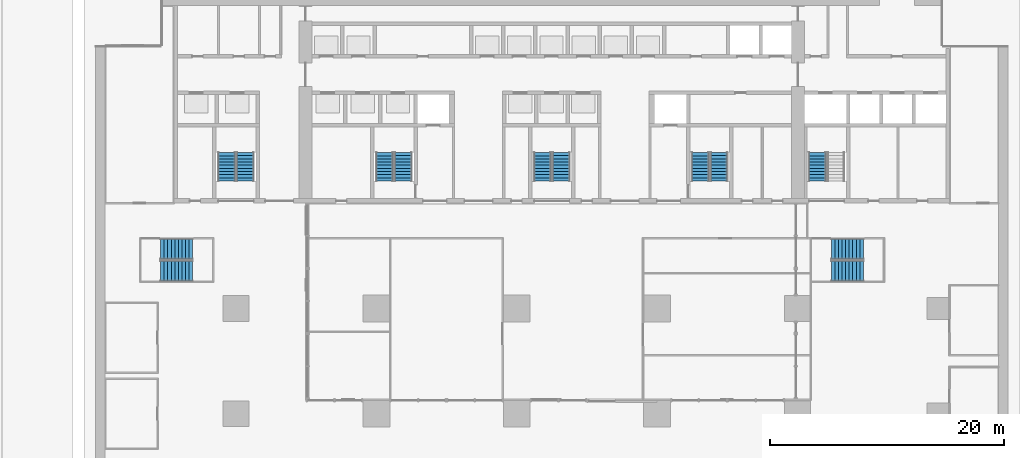
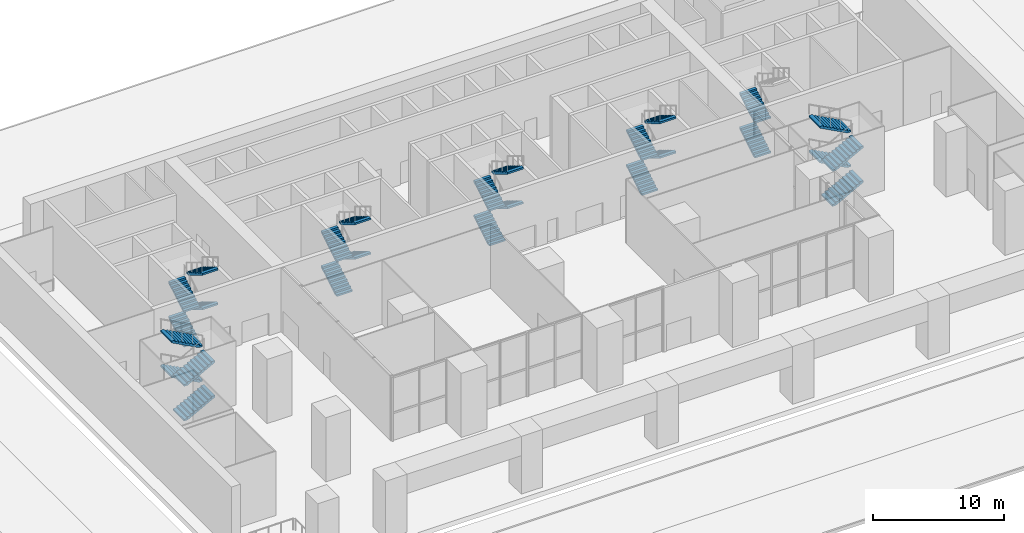
# One storey, part 11 of 16: 26 stair flights, 7 elements without a shape of their own.
"""IFC4 building model written with IfcOpenShell, lengths in metres."""

from ifc_helpers import new_model, si_unit, direction, frame, origin, place, context, subcontext, project, spatial, polyline, outline, extrude, material, type_object, element, aggregate, save


model = new_model("IFC4")

# Units and contexts
model_context = context("Model", 3, precision=1e-05, world=origin(), true_north=direction((0.0, 1.0)))
body_context = subcontext(model_context, "Body", "Model", "MODEL_VIEW")
ifc_project = project(units=[si_unit("LENGTHUNIT", "METRE"), si_unit("AREAUNIT", "SQUARE_METRE"), si_unit("VOLUMEUNIT", "CUBIC_METRE"), si_unit("PLANEANGLEUNIT", "RADIAN"), si_unit("MASSUNIT", "GRAM", prefix="KILO")], contexts=[model_context])

# Site, building, storey
site_placement = place(None, origin())
site = spatial("IfcSite", under=ifc_project, at=site_placement, CompositionType="ELEMENT")
building_placement = place(site_placement, origin())
building = spatial("IfcBuilding", under=site, at=building_placement, Name="Calvaro Tower", CompositionType="ELEMENT")
storey_placement = place(building_placement, origin())
storey = spatial("IfcBuildingStorey", under=building, at=storey_placement, Name="L00", CompositionType="ELEMENT", Elevation=0.0)

# Stair, stair flights
ifc_material_1 = material(Name="Concrete C40/50", Category="concrete")
stair_type_1 = type_object("IfcStairType", Name="Exit stair 1400 4 flights", PredefinedType="DOUBLE_RETURN_STAIR", material=ifc_material_1)
stair_1_placement = place(storey_placement, origin())
stair_1 = element("IfcStair", 1, at=stair_1_placement, inside=storey, type_object=stair_type_1, Name="Exit stair S1", PredefinedType="DOUBLE_RETURN_STAIR")
ifc_material_2 = material(Name="Concrete C40/50", Category="concrete")
stair_flight_type = type_object("IfcStairFlightType", Name="Stair flight", PredefinedType="STRAIGHT", material=ifc_material_2)
stair_flight_1_placement = place(storey_placement, frame((11.199951171875, 29.89990234375, 0.0), z_axis=(0.0, 0.0, 1.0), x_axis=(0.0, 1.0, 0.0)))
stair_flight_1 = element("IfcStairFlight", 2, at=stair_flight_1_placement, type_object=stair_flight_type, Name="Exit stair 1, flight 1", NumberOfRisers=10, NumberOfTreads=9, PredefinedType="STRAIGHT", RiserHeight=0.1625, TreadLength=0.27, context=body_context, shape_type="SweptSolid", body=[
    extrude(outline(polyline([(0.0, 0.0), (0.0, 0.16259765625), (0.27001953125, 0.16259765625), (0.27001953125, 0.324951171875), (0.5400390625, 0.324951171875), (0.5400390625, 0.487548828125), (0.81005859375, 0.487548828125), (0.81005859375, 0.64990234375), (1.080078125, 0.64990234375), (1.080078125, 0.8125), (1.35009765625, 0.8125), (1.35009765625, 0.97509765625), (1.6201171875, 0.97509765625), (1.6201171875, 1.137451171875), (1.889892578125, 1.137451171875), (1.889892578125, 1.300048828125), (2.159912109375, 1.300048828125), (2.159912109375, 1.46240234375), (2.429931640625, 1.46240234375), (2.429931640625, 1.625), (2.429931640625, 1.28759765625), (0.290771484375, 0.0), (0.0, 0.0)])), frame((0.0, 0.699951171875, 0.0), z_axis=(0.0, -1.0, 0.0), x_axis=(1.0, 0.0, 0.0)), (0.0, 0.0, 1.0), 1.39990234375),
])
stair_flight_2_placement = place(storey_placement, frame((12.800048828125, 32.330078125, 1.625), z_axis=(0.0, 0.0, 1.0), x_axis=(0.0, -1.0, 0.0)))
stair_flight_2 = element("IfcStairFlight", 3, at=stair_flight_2_placement, type_object=stair_flight_type, Name="Exit stair 1, flight 2", NumberOfRisers=10, NumberOfTreads=9, PredefinedType="STRAIGHT", RiserHeight=0.1625, TreadLength=0.27, context=body_context, shape_type="SweptSolid", body=[
    extrude(outline(polyline([(0.0, 0.0), (0.0, 0.16259765625), (0.27001953125, 0.16259765625), (0.27001953125, 0.324951171875), (0.5400390625, 0.324951171875), (0.5400390625, 0.487548828125), (0.81005859375, 0.487548828125), (0.81005859375, 0.64990234375), (1.080078125, 0.64990234375), (1.080078125, 0.8125), (1.35009765625, 0.8125), (1.35009765625, 0.97509765625), (1.6201171875, 0.97509765625), (1.6201171875, 1.137451171875), (1.889892578125, 1.137451171875), (1.889892578125, 1.300048828125), (2.159912109375, 1.300048828125), (2.159912109375, 1.46240234375), (2.429931640625, 1.46240234375), (2.429931640625, 1.625), (2.429931640625, 1.28759765625), (0.290771484375, 0.0), (0.0, 0.0)])), frame((0.0, 0.699951171875, 0.0), z_axis=(0.0, -1.0, 0.0), x_axis=(1.0, 0.0, 0.0)), (0.0, 0.0, 1.0), 1.39990234375),
])
stair_flight_3_placement = place(storey_placement, frame((11.199951171875, 29.89990234375, 3.25), z_axis=(0.0, 0.0, 1.0), x_axis=(0.0, 1.0, 0.0)))
stair_flight_3 = element("IfcStairFlight", 4, at=stair_flight_3_placement, type_object=stair_flight_type, Name="Exit stair 1, flight 3", NumberOfRisers=10, NumberOfTreads=9, PredefinedType="STRAIGHT", RiserHeight=0.1625, TreadLength=0.27, context=body_context, shape_type="SweptSolid", body=[
    extrude(outline(polyline([(0.0, 0.0), (0.0, 0.16259765625), (0.27001953125, 0.16259765625), (0.27001953125, 0.324951171875), (0.5400390625, 0.324951171875), (0.5400390625, 0.487548828125), (0.81005859375, 0.487548828125), (0.81005859375, 0.64990234375), (1.080078125, 0.64990234375), (1.080078125, 0.8125), (1.35009765625, 0.8125), (1.35009765625, 0.97509765625), (1.6201171875, 0.97509765625), (1.6201171875, 1.137451171875), (1.889892578125, 1.137451171875), (1.889892578125, 1.300048828125), (2.159912109375, 1.300048828125), (2.159912109375, 1.46240234375), (2.429931640625, 1.46240234375), (2.429931640625, 1.625), (2.429931640625, 1.28759765625), (0.290771484375, 0.0), (0.0, 0.0)])), frame((0.0, 0.699951171875, 0.0), z_axis=(0.0, -1.0, 0.0), x_axis=(1.0, 0.0, 0.0)), (0.0, 0.0, 1.0), 1.39990234375),
])
stair_flight_4_placement = place(storey_placement, frame((12.800048828125, 32.330078125, 4.875), z_axis=(0.0, 0.0, 1.0), x_axis=(0.0, -1.0, 0.0)))
stair_flight_4 = element("IfcStairFlight", 5, at=stair_flight_4_placement, type_object=stair_flight_type, Name="Exit stair 1, flight 4", NumberOfRisers=10, NumberOfTreads=9, PredefinedType="STRAIGHT", RiserHeight=0.1625, TreadLength=0.27, context=body_context, shape_type="SweptSolid", body=[
    extrude(outline(polyline([(0.0, 0.0), (0.0, 0.16259765625), (0.27001953125, 0.16259765625), (0.27001953125, 0.324951171875), (0.5400390625, 0.324951171875), (0.5400390625, 0.487548828125), (0.81005859375, 0.487548828125), (0.81005859375, 0.64990234375), (1.080078125, 0.64990234375), (1.080078125, 0.8125), (1.35009765625, 0.8125), (1.35009765625, 0.97509765625), (1.6201171875, 0.97509765625), (1.6201171875, 1.137451171875), (1.889892578125, 1.137451171875), (1.889892578125, 1.300048828125), (2.159912109375, 1.300048828125), (2.159912109375, 1.46240234375), (2.429931640625, 1.46240234375), (2.429931640625, 1.625), (2.429931640625, 1.28759765625), (0.290771484375, 0.0), (0.0, 0.0)])), frame((0.0, 0.699951171875, 0.0), z_axis=(0.0, -1.0, 0.0), x_axis=(1.0, 0.0, 0.0)), (0.0, 0.0, 1.0), 1.39990234375),
])
aggregate(stair_1, [stair_flight_1, stair_flight_2, stair_flight_3, stair_flight_4])

stair_2_placement = place(storey_placement, origin())
stair_2 = element("IfcStair", 6, at=stair_2_placement, inside=storey, type_object=stair_type_1, Name="Exit stair S2", PredefinedType="DOUBLE_RETURN_STAIR")
stair_flight_5_placement = place(storey_placement, frame((24.699951171875, 29.89990234375, 0.0), z_axis=(0.0, 0.0, 1.0), x_axis=(0.0, 1.0, 0.0)))
stair_flight_5 = element("IfcStairFlight", 7, at=stair_flight_5_placement, type_object=stair_flight_type, Name="Exit stair 2, flight 1", NumberOfRisers=10, NumberOfTreads=9, PredefinedType="STRAIGHT", RiserHeight=0.1625, TreadLength=0.27, context=body_context, shape_type="SweptSolid", body=[
    extrude(outline(polyline([(0.0, 0.0), (0.0, 0.16259765625), (0.27001953125, 0.16259765625), (0.27001953125, 0.324951171875), (0.5400390625, 0.324951171875), (0.5400390625, 0.487548828125), (0.81005859375, 0.487548828125), (0.81005859375, 0.64990234375), (1.080078125, 0.64990234375), (1.080078125, 0.8125), (1.35009765625, 0.8125), (1.35009765625, 0.97509765625), (1.6201171875, 0.97509765625), (1.6201171875, 1.137451171875), (1.889892578125, 1.137451171875), (1.889892578125, 1.300048828125), (2.159912109375, 1.300048828125), (2.159912109375, 1.46240234375), (2.429931640625, 1.46240234375), (2.429931640625, 1.625), (2.429931640625, 1.28759765625), (0.290771484375, 0.0), (0.0, 0.0)])), frame((0.0, 0.699951171875, 0.0), z_axis=(0.0, -1.0, 0.0), x_axis=(1.0, 0.0, 0.0)), (0.0, 0.0, 1.0), 1.39990234375),
])
stair_flight_6_placement = place(storey_placement, frame((26.300048828125, 32.330078125, 1.625), z_axis=(0.0, 0.0, 1.0), x_axis=(0.0, -1.0, 0.0)))
stair_flight_6 = element("IfcStairFlight", 8, at=stair_flight_6_placement, type_object=stair_flight_type, Name="Exit stair 2, flight 2", NumberOfRisers=10, NumberOfTreads=9, PredefinedType="STRAIGHT", RiserHeight=0.1625, TreadLength=0.27, context=body_context, shape_type="SweptSolid", body=[
    extrude(outline(polyline([(0.0, 0.0), (0.0, 0.16259765625), (0.27001953125, 0.16259765625), (0.27001953125, 0.324951171875), (0.5400390625, 0.324951171875), (0.5400390625, 0.487548828125), (0.81005859375, 0.487548828125), (0.81005859375, 0.64990234375), (1.080078125, 0.64990234375), (1.080078125, 0.8125), (1.35009765625, 0.8125), (1.35009765625, 0.97509765625), (1.6201171875, 0.97509765625), (1.6201171875, 1.137451171875), (1.889892578125, 1.137451171875), (1.889892578125, 1.300048828125), (2.159912109375, 1.300048828125), (2.159912109375, 1.46240234375), (2.429931640625, 1.46240234375), (2.429931640625, 1.625), (2.429931640625, 1.28759765625), (0.290771484375, 0.0), (0.0, 0.0)])), frame((0.0, 0.699951171875, 0.0), z_axis=(0.0, -1.0, 0.0), x_axis=(1.0, 0.0, 0.0)), (0.0, 0.0, 1.0), 1.39990234375),
])
stair_flight_7_placement = place(storey_placement, frame((24.699951171875, 29.89990234375, 3.25), z_axis=(0.0, 0.0, 1.0), x_axis=(0.0, 1.0, 0.0)))
stair_flight_7 = element("IfcStairFlight", 9, at=stair_flight_7_placement, type_object=stair_flight_type, Name="Exit stair 2, flight 3", NumberOfRisers=10, NumberOfTreads=9, PredefinedType="STRAIGHT", RiserHeight=0.1625, TreadLength=0.27, context=body_context, shape_type="SweptSolid", body=[
    extrude(outline(polyline([(0.0, 0.0), (0.0, 0.16259765625), (0.27001953125, 0.16259765625), (0.27001953125, 0.324951171875), (0.5400390625, 0.324951171875), (0.5400390625, 0.487548828125), (0.81005859375, 0.487548828125), (0.81005859375, 0.64990234375), (1.080078125, 0.64990234375), (1.080078125, 0.8125), (1.35009765625, 0.8125), (1.35009765625, 0.97509765625), (1.6201171875, 0.97509765625), (1.6201171875, 1.137451171875), (1.889892578125, 1.137451171875), (1.889892578125, 1.300048828125), (2.159912109375, 1.300048828125), (2.159912109375, 1.46240234375), (2.429931640625, 1.46240234375), (2.429931640625, 1.625), (2.429931640625, 1.28759765625), (0.290771484375, 0.0), (0.0, 0.0)])), frame((0.0, 0.699951171875, 0.0), z_axis=(0.0, -1.0, 0.0), x_axis=(1.0, 0.0, 0.0)), (0.0, 0.0, 1.0), 1.39990234375),
])
stair_flight_8_placement = place(storey_placement, frame((26.300048828125, 32.330078125, 4.875), z_axis=(0.0, 0.0, 1.0), x_axis=(0.0, -1.0, 0.0)))
stair_flight_8 = element("IfcStairFlight", 10, at=stair_flight_8_placement, type_object=stair_flight_type, Name="Exit stair 2, flight 4", NumberOfRisers=10, NumberOfTreads=9, PredefinedType="STRAIGHT", RiserHeight=0.1625, TreadLength=0.27, context=body_context, shape_type="SweptSolid", body=[
    extrude(outline(polyline([(0.0, 0.0), (0.0, 0.16259765625), (0.27001953125, 0.16259765625), (0.27001953125, 0.324951171875), (0.5400390625, 0.324951171875), (0.5400390625, 0.487548828125), (0.81005859375, 0.487548828125), (0.81005859375, 0.64990234375), (1.080078125, 0.64990234375), (1.080078125, 0.8125), (1.35009765625, 0.8125), (1.35009765625, 0.97509765625), (1.6201171875, 0.97509765625), (1.6201171875, 1.137451171875), (1.889892578125, 1.137451171875), (1.889892578125, 1.300048828125), (2.159912109375, 1.300048828125), (2.159912109375, 1.46240234375), (2.429931640625, 1.46240234375), (2.429931640625, 1.625), (2.429931640625, 1.28759765625), (0.290771484375, 0.0), (0.0, 0.0)])), frame((0.0, 0.699951171875, 0.0), z_axis=(0.0, -1.0, 0.0), x_axis=(1.0, 0.0, 0.0)), (0.0, 0.0, 1.0), 1.39990234375),
])
aggregate(stair_2, [stair_flight_5, stair_flight_6, stair_flight_7, stair_flight_8])

stair_3_placement = place(storey_placement, origin())
stair_3 = element("IfcStair", 11, at=stair_3_placement, inside=storey, type_object=stair_type_1, Name="Exit stair S3", PredefinedType="DOUBLE_RETURN_STAIR")
stair_flight_9_placement = place(storey_placement, frame((38.199951171875, 29.89990234375, 0.0), z_axis=(0.0, 0.0, 1.0), x_axis=(0.0, 1.0, 0.0)))
stair_flight_9 = element("IfcStairFlight", 12, at=stair_flight_9_placement, type_object=stair_flight_type, Name="Exit stair 3, flight 1", NumberOfRisers=10, NumberOfTreads=9, PredefinedType="STRAIGHT", RiserHeight=0.1625, TreadLength=0.27, context=body_context, shape_type="SweptSolid", body=[
    extrude(outline(polyline([(0.0, 0.0), (0.0, 0.16259765625), (0.27001953125, 0.16259765625), (0.27001953125, 0.324951171875), (0.5400390625, 0.324951171875), (0.5400390625, 0.487548828125), (0.81005859375, 0.487548828125), (0.81005859375, 0.64990234375), (1.080078125, 0.64990234375), (1.080078125, 0.8125), (1.35009765625, 0.8125), (1.35009765625, 0.97509765625), (1.6201171875, 0.97509765625), (1.6201171875, 1.137451171875), (1.889892578125, 1.137451171875), (1.889892578125, 1.300048828125), (2.159912109375, 1.300048828125), (2.159912109375, 1.46240234375), (2.429931640625, 1.46240234375), (2.429931640625, 1.625), (2.429931640625, 1.28759765625), (0.290771484375, 0.0), (0.0, 0.0)])), frame((0.0, 0.699951171875, 0.0), z_axis=(0.0, -1.0, 0.0), x_axis=(1.0, 0.0, 0.0)), (0.0, 0.0, 1.0), 1.39990234375),
])
stair_flight_10_placement = place(storey_placement, frame((39.800048828125, 32.330078125, 1.625), z_axis=(0.0, 0.0, 1.0), x_axis=(0.0, -1.0, 0.0)))
stair_flight_10 = element("IfcStairFlight", 13, at=stair_flight_10_placement, type_object=stair_flight_type, Name="Exit stair 3, flight 2", NumberOfRisers=10, NumberOfTreads=9, PredefinedType="STRAIGHT", RiserHeight=0.1625, TreadLength=0.27, context=body_context, shape_type="SweptSolid", body=[
    extrude(outline(polyline([(0.0, 0.0), (0.0, 0.16259765625), (0.27001953125, 0.16259765625), (0.27001953125, 0.324951171875), (0.5400390625, 0.324951171875), (0.5400390625, 0.487548828125), (0.81005859375, 0.487548828125), (0.81005859375, 0.64990234375), (1.080078125, 0.64990234375), (1.080078125, 0.8125), (1.35009765625, 0.8125), (1.35009765625, 0.97509765625), (1.6201171875, 0.97509765625), (1.6201171875, 1.137451171875), (1.889892578125, 1.137451171875), (1.889892578125, 1.300048828125), (2.159912109375, 1.300048828125), (2.159912109375, 1.46240234375), (2.429931640625, 1.46240234375), (2.429931640625, 1.625), (2.429931640625, 1.28759765625), (0.290771484375, 0.0), (0.0, 0.0)])), frame((0.0, 0.699951171875, 0.0), z_axis=(0.0, -1.0, 0.0), x_axis=(1.0, 0.0, 0.0)), (0.0, 0.0, 1.0), 1.39990234375),
])
stair_flight_11_placement = place(storey_placement, frame((38.199951171875, 29.89990234375, 3.25), z_axis=(0.0, 0.0, 1.0), x_axis=(0.0, 1.0, 0.0)))
stair_flight_11 = element("IfcStairFlight", 14, at=stair_flight_11_placement, type_object=stair_flight_type, Name="Exit stair 3, flight 3", NumberOfRisers=10, NumberOfTreads=9, PredefinedType="STRAIGHT", RiserHeight=0.1625, TreadLength=0.27, context=body_context, shape_type="SweptSolid", body=[
    extrude(outline(polyline([(0.0, 0.0), (0.0, 0.16259765625), (0.27001953125, 0.16259765625), (0.27001953125, 0.324951171875), (0.5400390625, 0.324951171875), (0.5400390625, 0.487548828125), (0.81005859375, 0.487548828125), (0.81005859375, 0.64990234375), (1.080078125, 0.64990234375), (1.080078125, 0.8125), (1.35009765625, 0.8125), (1.35009765625, 0.97509765625), (1.6201171875, 0.97509765625), (1.6201171875, 1.137451171875), (1.889892578125, 1.137451171875), (1.889892578125, 1.300048828125), (2.159912109375, 1.300048828125), (2.159912109375, 1.46240234375), (2.429931640625, 1.46240234375), (2.429931640625, 1.625), (2.429931640625, 1.28759765625), (0.290771484375, 0.0), (0.0, 0.0)])), frame((0.0, 0.699951171875, 0.0), z_axis=(0.0, -1.0, 0.0), x_axis=(1.0, 0.0, 0.0)), (0.0, 0.0, 1.0), 1.39990234375),
])
stair_flight_12_placement = place(storey_placement, frame((39.800048828125, 32.330078125, 4.875), z_axis=(0.0, 0.0, 1.0), x_axis=(0.0, -1.0, 0.0)))
stair_flight_12 = element("IfcStairFlight", 15, at=stair_flight_12_placement, type_object=stair_flight_type, Name="Exit stair 3, flight 4", NumberOfRisers=10, NumberOfTreads=9, PredefinedType="STRAIGHT", RiserHeight=0.1625, TreadLength=0.27, context=body_context, shape_type="SweptSolid", body=[
    extrude(outline(polyline([(0.0, 0.0), (0.0, 0.16259765625), (0.27001953125, 0.16259765625), (0.27001953125, 0.324951171875), (0.5400390625, 0.324951171875), (0.5400390625, 0.487548828125), (0.81005859375, 0.487548828125), (0.81005859375, 0.64990234375), (1.080078125, 0.64990234375), (1.080078125, 0.8125), (1.35009765625, 0.8125), (1.35009765625, 0.97509765625), (1.6201171875, 0.97509765625), (1.6201171875, 1.137451171875), (1.889892578125, 1.137451171875), (1.889892578125, 1.300048828125), (2.159912109375, 1.300048828125), (2.159912109375, 1.46240234375), (2.429931640625, 1.46240234375), (2.429931640625, 1.625), (2.429931640625, 1.28759765625), (0.290771484375, 0.0), (0.0, 0.0)])), frame((0.0, 0.699951171875, 0.0), z_axis=(0.0, -1.0, 0.0), x_axis=(1.0, 0.0, 0.0)), (0.0, 0.0, 1.0), 1.39990234375),
])
aggregate(stair_3, [stair_flight_9, stair_flight_10, stair_flight_11, stair_flight_12])

stair_4_placement = place(storey_placement, origin())
stair_4 = element("IfcStair", 16, at=stair_4_placement, inside=storey, type_object=stair_type_1, Name="Exit stair S4", PredefinedType="DOUBLE_RETURN_STAIR")
stair_flight_13_placement = place(storey_placement, frame((51.699951171875, 29.89990234375, 0.0), z_axis=(0.0, 0.0, 1.0), x_axis=(0.0, 1.0, 0.0)))
stair_flight_13 = element("IfcStairFlight", 17, at=stair_flight_13_placement, type_object=stair_flight_type, Name="Exit stair 4, flight 1", NumberOfRisers=10, NumberOfTreads=9, PredefinedType="STRAIGHT", RiserHeight=0.1625, TreadLength=0.27, context=body_context, shape_type="SweptSolid", body=[
    extrude(outline(polyline([(0.0, 0.0), (0.0, 0.16259765625), (0.27001953125, 0.16259765625), (0.27001953125, 0.324951171875), (0.5400390625, 0.324951171875), (0.5400390625, 0.487548828125), (0.81005859375, 0.487548828125), (0.81005859375, 0.64990234375), (1.080078125, 0.64990234375), (1.080078125, 0.8125), (1.35009765625, 0.8125), (1.35009765625, 0.97509765625), (1.6201171875, 0.97509765625), (1.6201171875, 1.137451171875), (1.889892578125, 1.137451171875), (1.889892578125, 1.300048828125), (2.159912109375, 1.300048828125), (2.159912109375, 1.46240234375), (2.429931640625, 1.46240234375), (2.429931640625, 1.625), (2.429931640625, 1.28759765625), (0.290771484375, 0.0), (0.0, 0.0)])), frame((0.0, 0.699951171875, 0.0), z_axis=(0.0, -1.0, 0.0), x_axis=(1.0, 0.0, 0.0)), (0.0, 0.0, 1.0), 1.39990234375),
])
stair_flight_14_placement = place(storey_placement, frame((53.300048828125, 32.330078125, 1.625), z_axis=(0.0, 0.0, 1.0), x_axis=(0.0, -1.0, 0.0)))
stair_flight_14 = element("IfcStairFlight", 18, at=stair_flight_14_placement, type_object=stair_flight_type, Name="Exit stair 4, flight 2", NumberOfRisers=10, NumberOfTreads=9, PredefinedType="STRAIGHT", RiserHeight=0.1625, TreadLength=0.27, context=body_context, shape_type="SweptSolid", body=[
    extrude(outline(polyline([(0.0, 0.0), (0.0, 0.16259765625), (0.27001953125, 0.16259765625), (0.27001953125, 0.324951171875), (0.5400390625, 0.324951171875), (0.5400390625, 0.487548828125), (0.81005859375, 0.487548828125), (0.81005859375, 0.64990234375), (1.080078125, 0.64990234375), (1.080078125, 0.8125), (1.35009765625, 0.8125), (1.35009765625, 0.97509765625), (1.6201171875, 0.97509765625), (1.6201171875, 1.137451171875), (1.889892578125, 1.137451171875), (1.889892578125, 1.300048828125), (2.159912109375, 1.300048828125), (2.159912109375, 1.46240234375), (2.429931640625, 1.46240234375), (2.429931640625, 1.625), (2.429931640625, 1.28759765625), (0.290771484375, 0.0), (0.0, 0.0)])), frame((0.0, 0.699951171875, 0.0), z_axis=(0.0, -1.0, 0.0), x_axis=(1.0, 0.0, 0.0)), (0.0, 0.0, 1.0), 1.39990234375),
])
stair_flight_15_placement = place(storey_placement, frame((51.699951171875, 29.89990234375, 3.25), z_axis=(0.0, 0.0, 1.0), x_axis=(0.0, 1.0, 0.0)))
stair_flight_15 = element("IfcStairFlight", 19, at=stair_flight_15_placement, type_object=stair_flight_type, Name="Exit stair 4, flight 3", NumberOfRisers=10, NumberOfTreads=9, PredefinedType="STRAIGHT", RiserHeight=0.1625, TreadLength=0.27, context=body_context, shape_type="SweptSolid", body=[
    extrude(outline(polyline([(0.0, 0.0), (0.0, 0.16259765625), (0.27001953125, 0.16259765625), (0.27001953125, 0.324951171875), (0.5400390625, 0.324951171875), (0.5400390625, 0.487548828125), (0.81005859375, 0.487548828125), (0.81005859375, 0.64990234375), (1.080078125, 0.64990234375), (1.080078125, 0.8125), (1.35009765625, 0.8125), (1.35009765625, 0.97509765625), (1.6201171875, 0.97509765625), (1.6201171875, 1.137451171875), (1.889892578125, 1.137451171875), (1.889892578125, 1.300048828125), (2.159912109375, 1.300048828125), (2.159912109375, 1.46240234375), (2.429931640625, 1.46240234375), (2.429931640625, 1.625), (2.429931640625, 1.28759765625), (0.290771484375, 0.0), (0.0, 0.0)])), frame((0.0, 0.699951171875, 0.0), z_axis=(0.0, -1.0, 0.0), x_axis=(1.0, 0.0, 0.0)), (0.0, 0.0, 1.0), 1.39990234375),
])
stair_flight_16_placement = place(storey_placement, frame((53.300048828125, 32.330078125, 4.875), z_axis=(0.0, 0.0, 1.0), x_axis=(0.0, -1.0, 0.0)))
stair_flight_16 = element("IfcStairFlight", 20, at=stair_flight_16_placement, type_object=stair_flight_type, Name="Exit stair 4, flight 4", NumberOfRisers=10, NumberOfTreads=9, PredefinedType="STRAIGHT", RiserHeight=0.1625, TreadLength=0.27, context=body_context, shape_type="SweptSolid", body=[
    extrude(outline(polyline([(0.0, 0.0), (0.0, 0.16259765625), (0.27001953125, 0.16259765625), (0.27001953125, 0.324951171875), (0.5400390625, 0.324951171875), (0.5400390625, 0.487548828125), (0.81005859375, 0.487548828125), (0.81005859375, 0.64990234375), (1.080078125, 0.64990234375), (1.080078125, 0.8125), (1.35009765625, 0.8125), (1.35009765625, 0.97509765625), (1.6201171875, 0.97509765625), (1.6201171875, 1.137451171875), (1.889892578125, 1.137451171875), (1.889892578125, 1.300048828125), (2.159912109375, 1.300048828125), (2.159912109375, 1.46240234375), (2.429931640625, 1.46240234375), (2.429931640625, 1.625), (2.429931640625, 1.28759765625), (0.290771484375, 0.0), (0.0, 0.0)])), frame((0.0, 0.699951171875, 0.0), z_axis=(0.0, -1.0, 0.0), x_axis=(1.0, 0.0, 0.0)), (0.0, 0.0, 1.0), 1.39990234375),
])
aggregate(stair_4, [stair_flight_13, stair_flight_14, stair_flight_15, stair_flight_16])

stair_5_placement = place(storey_placement, origin())
stair_5 = element("IfcStair", 21, at=stair_5_placement, inside=storey, type_object=stair_type_1, Name="Exit stair S5", PredefinedType="DOUBLE_RETURN_STAIR")
stair_flight_17_placement = place(storey_placement, frame((61.699951171875, 29.89990234375, 0.0), z_axis=(0.0, 0.0, 1.0), x_axis=(0.0, 1.0, 0.0)))
stair_flight_17 = element("IfcStairFlight", 22, at=stair_flight_17_placement, type_object=stair_flight_type, Name="Exit stair 5, flight 1", NumberOfRisers=10, NumberOfTreads=9, PredefinedType="STRAIGHT", RiserHeight=0.1625, TreadLength=0.27, context=body_context, shape_type="SweptSolid", body=[
    extrude(outline(polyline([(0.0, 0.0), (0.0, 0.16259765625), (0.27001953125, 0.16259765625), (0.27001953125, 0.324951171875), (0.5400390625, 0.324951171875), (0.5400390625, 0.487548828125), (0.81005859375, 0.487548828125), (0.81005859375, 0.64990234375), (1.080078125, 0.64990234375), (1.080078125, 0.8125), (1.35009765625, 0.8125), (1.35009765625, 0.97509765625), (1.6201171875, 0.97509765625), (1.6201171875, 1.137451171875), (1.889892578125, 1.137451171875), (1.889892578125, 1.300048828125), (2.159912109375, 1.300048828125), (2.159912109375, 1.46240234375), (2.429931640625, 1.46240234375), (2.429931640625, 1.625), (2.429931640625, 1.28759765625), (0.290771484375, 0.0), (0.0, 0.0)])), frame((0.0, 0.699951171875, 0.0), z_axis=(0.0, -1.0, 0.0), x_axis=(1.0, 0.0, 0.0)), (0.0, 0.0, 1.0), 1.39990234375),
])
stair_flight_18_placement = place(storey_placement, frame((61.699951171875, 29.89990234375, 3.25), z_axis=(0.0, 0.0, 1.0), x_axis=(0.0, 1.0, 0.0)))
stair_flight_18 = element("IfcStairFlight", 23, at=stair_flight_18_placement, type_object=stair_flight_type, Name="Exit stair 5, flight 3", NumberOfRisers=10, NumberOfTreads=9, PredefinedType="STRAIGHT", RiserHeight=0.1625, TreadLength=0.27, context=body_context, shape_type="SweptSolid", body=[
    extrude(outline(polyline([(0.0, 0.0), (0.0, 0.16259765625), (0.27001953125, 0.16259765625), (0.27001953125, 0.324951171875), (0.5400390625, 0.324951171875), (0.5400390625, 0.487548828125), (0.81005859375, 0.487548828125), (0.81005859375, 0.64990234375), (1.080078125, 0.64990234375), (1.080078125, 0.8125), (1.35009765625, 0.8125), (1.35009765625, 0.97509765625), (1.6201171875, 0.97509765625), (1.6201171875, 1.137451171875), (1.889892578125, 1.137451171875), (1.889892578125, 1.300048828125), (2.159912109375, 1.300048828125), (2.159912109375, 1.46240234375), (2.429931640625, 1.46240234375), (2.429931640625, 1.625), (2.429931640625, 1.28759765625), (0.290771484375, 0.0), (0.0, 0.0)])), frame((0.0, 0.699951171875, 0.0), z_axis=(0.0, -1.0, 0.0), x_axis=(1.0, 0.0, 0.0)), (0.0, 0.0, 1.0), 1.39990234375),
])
aggregate(stair_5, [stair_flight_17, stair_flight_18])

ifc_material_3 = material(Name="Concrete C40/50", Category="concrete")
stair_type_2 = type_object("IfcStairType", Name="Exit stair 1700 4 flights", PredefinedType="DOUBLE_RETURN_STAIR", material=ifc_material_3)
stair_6_placement = place(storey_placement, origin())
stair_6 = element("IfcStair", 24, at=stair_6_placement, inside=storey, type_object=stair_type_2, Name="Exit stair 6", PredefinedType="DOUBLE_RETURN_STAIR")
stair_flight_19_placement = place(storey_placement, frame((5.550048828125, 22.199951171875, 0.0), z_axis=(0.0, 0.0, 1.0), x_axis=(1.0, 0.0, 0.0)))
stair_flight_19 = element("IfcStairFlight", 25, at=stair_flight_19_placement, type_object=stair_flight_type, Name="Exit stair 6, flight 1", NumberOfRisers=10, NumberOfTreads=9, PredefinedType="STRAIGHT", RiserHeight=0.1625, TreadLength=0.305, context=body_context, shape_type="SweptSolid", body=[
    extrude(outline(polyline([(0.0, 0.0), (0.0, 0.16259765625), (0.304931640625, 0.16259765625), (0.304931640625, 0.324951171875), (0.610107421875, 0.324951171875), (0.610107421875, 0.487548828125), (0.9150390625, 0.487548828125), (0.9150390625, 0.64990234375), (1.219970703125, 0.64990234375), (1.219970703125, 0.8125), (1.52490234375, 0.8125), (1.52490234375, 0.97509765625), (1.830078125, 0.97509765625), (1.830078125, 1.137451171875), (2.135009765625, 1.137451171875), (2.135009765625, 1.300048828125), (2.43994140625, 1.300048828125), (2.43994140625, 1.46240234375), (2.7451171875, 1.46240234375), (2.7451171875, 1.625), (2.7451171875, 1.292724609375), (0.31884765625, 0.0), (0.0, 0.0)])), frame((0.0, 0.85009765625, 0.0), z_axis=(0.0, -1.0, 0.0), x_axis=(1.0, 0.0, 0.0)), (0.0, 0.0, 1.0), 1.699951171875),
])
stair_flight_20_placement = place(storey_placement, frame((8.294921875, 24.10009765625, 1.625), z_axis=(0.0, 0.0, 1.0), x_axis=(-1.0, 0.0, 0.0)))
stair_flight_20 = element("IfcStairFlight", 26, at=stair_flight_20_placement, type_object=stair_flight_type, Name="Exit stair 6, flight 2", NumberOfRisers=10, NumberOfTreads=9, PredefinedType="STRAIGHT", RiserHeight=0.1625, TreadLength=0.305, context=body_context, shape_type="SweptSolid", body=[
    extrude(outline(polyline([(0.0, 0.0), (0.0, 0.16259765625), (0.304931640625, 0.16259765625), (0.304931640625, 0.324951171875), (0.610107421875, 0.324951171875), (0.610107421875, 0.487548828125), (0.9150390625, 0.487548828125), (0.9150390625, 0.64990234375), (1.219970703125, 0.64990234375), (1.219970703125, 0.8125), (1.52490234375, 0.8125), (1.52490234375, 0.97509765625), (1.830078125, 0.97509765625), (1.830078125, 1.137451171875), (2.135009765625, 1.137451171875), (2.135009765625, 1.300048828125), (2.43994140625, 1.300048828125), (2.43994140625, 1.46240234375), (2.7451171875, 1.46240234375), (2.7451171875, 1.625), (2.7451171875, 1.292724609375), (0.31884765625, 0.0), (0.0, 0.0)])), frame((0.0, 0.85009765625, 0.0), z_axis=(0.0, -1.0, 0.0), x_axis=(1.0, 0.0, 0.0)), (0.0, 0.0, 1.0), 1.699951171875),
])
stair_flight_21_placement = place(storey_placement, frame((5.550048828125, 22.199951171875, 3.25), z_axis=(0.0, 0.0, 1.0), x_axis=(1.0, 0.0, 0.0)))
stair_flight_21 = element("IfcStairFlight", 27, at=stair_flight_21_placement, type_object=stair_flight_type, Name="Exit stair 6, flight 3", NumberOfRisers=10, NumberOfTreads=9, PredefinedType="STRAIGHT", RiserHeight=0.1625, TreadLength=0.305, context=body_context, shape_type="SweptSolid", body=[
    extrude(outline(polyline([(0.0, 0.0), (0.0, 0.16259765625), (0.304931640625, 0.16259765625), (0.304931640625, 0.324951171875), (0.610107421875, 0.324951171875), (0.610107421875, 0.487548828125), (0.9150390625, 0.487548828125), (0.9150390625, 0.64990234375), (1.219970703125, 0.64990234375), (1.219970703125, 0.8125), (1.52490234375, 0.8125), (1.52490234375, 0.97509765625), (1.830078125, 0.97509765625), (1.830078125, 1.137451171875), (2.135009765625, 1.137451171875), (2.135009765625, 1.300048828125), (2.43994140625, 1.300048828125), (2.43994140625, 1.46240234375), (2.7451171875, 1.46240234375), (2.7451171875, 1.625), (2.7451171875, 1.292724609375), (0.31884765625, 0.0), (0.0, 0.0)])), frame((0.0, 0.85009765625, 0.0), z_axis=(0.0, -1.0, 0.0), x_axis=(1.0, 0.0, 0.0)), (0.0, 0.0, 1.0), 1.699951171875),
])
stair_flight_22_placement = place(storey_placement, frame((8.294921875, 24.10009765625, 4.875), z_axis=(0.0, 0.0, 1.0), x_axis=(-1.0, 0.0, 0.0)))
stair_flight_22 = element("IfcStairFlight", 28, at=stair_flight_22_placement, type_object=stair_flight_type, Name="Exit stair 6, flight 4", NumberOfRisers=10, NumberOfTreads=9, PredefinedType="STRAIGHT", RiserHeight=0.1625, TreadLength=0.305, context=body_context, shape_type="SweptSolid", body=[
    extrude(outline(polyline([(0.0, 0.0), (0.0, 0.16259765625), (0.304931640625, 0.16259765625), (0.304931640625, 0.324951171875), (0.610107421875, 0.324951171875), (0.610107421875, 0.487548828125), (0.9150390625, 0.487548828125), (0.9150390625, 0.64990234375), (1.219970703125, 0.64990234375), (1.219970703125, 0.8125), (1.52490234375, 0.8125), (1.52490234375, 0.97509765625), (1.830078125, 0.97509765625), (1.830078125, 1.137451171875), (2.135009765625, 1.137451171875), (2.135009765625, 1.300048828125), (2.43994140625, 1.300048828125), (2.43994140625, 1.46240234375), (2.7451171875, 1.46240234375), (2.7451171875, 1.625), (2.7451171875, 1.292724609375), (0.31884765625, 0.0), (0.0, 0.0)])), frame((0.0, 0.85009765625, 0.0), z_axis=(0.0, -1.0, 0.0), x_axis=(1.0, 0.0, 0.0)), (0.0, 0.0, 1.0), 1.699951171875),
])
aggregate(stair_6, [stair_flight_19, stair_flight_20, stair_flight_21, stair_flight_22])

stair_7_placement = place(storey_placement, origin())
stair_7 = element("IfcStair", 29, at=stair_7_placement, inside=storey, type_object=stair_type_2, Name="Exit stair 7", PredefinedType="DOUBLE_RETURN_STAIR")
stair_flight_23_placement = place(storey_placement, frame((62.89990234375, 22.199951171875, 0.0), z_axis=(0.0, 0.0, 1.0), x_axis=(1.0, 0.0, 0.0)))
stair_flight_23 = element("IfcStairFlight", 30, at=stair_flight_23_placement, type_object=stair_flight_type, Name="Exit stair 7, flight 1", NumberOfRisers=10, NumberOfTreads=9, PredefinedType="STRAIGHT", RiserHeight=0.1625, TreadLength=0.305, context=body_context, shape_type="SweptSolid", body=[
    extrude(outline(polyline([(0.0, 0.0), (0.0, 0.16259765625), (0.304931640625, 0.16259765625), (0.304931640625, 0.324951171875), (0.610107421875, 0.324951171875), (0.610107421875, 0.487548828125), (0.9150390625, 0.487548828125), (0.9150390625, 0.64990234375), (1.219970703125, 0.64990234375), (1.219970703125, 0.8125), (1.52490234375, 0.8125), (1.52490234375, 0.97509765625), (1.830078125, 0.97509765625), (1.830078125, 1.137451171875), (2.135009765625, 1.137451171875), (2.135009765625, 1.300048828125), (2.43994140625, 1.300048828125), (2.43994140625, 1.46240234375), (2.7451171875, 1.46240234375), (2.7451171875, 1.625), (2.7451171875, 1.292724609375), (0.31884765625, 0.0), (0.0, 0.0)])), frame((0.0, 0.85009765625, 0.0), z_axis=(0.0, -1.0, 0.0), x_axis=(1.0, 0.0, 0.0)), (0.0, 0.0, 1.0), 1.699951171875),
])
stair_flight_24_placement = place(storey_placement, frame((65.64501953125, 24.10009765625, 1.625), z_axis=(0.0, 0.0, 1.0), x_axis=(-1.0, 0.0, 0.0)))
stair_flight_24 = element("IfcStairFlight", 31, at=stair_flight_24_placement, type_object=stair_flight_type, Name="Exit stair 7, flight 2", NumberOfRisers=10, NumberOfTreads=9, PredefinedType="STRAIGHT", RiserHeight=0.1625, TreadLength=0.305, context=body_context, shape_type="SweptSolid", body=[
    extrude(outline(polyline([(0.0, 0.0), (0.0, 0.16259765625), (0.304931640625, 0.16259765625), (0.304931640625, 0.324951171875), (0.610107421875, 0.324951171875), (0.610107421875, 0.487548828125), (0.9150390625, 0.487548828125), (0.9150390625, 0.64990234375), (1.219970703125, 0.64990234375), (1.219970703125, 0.8125), (1.52490234375, 0.8125), (1.52490234375, 0.97509765625), (1.830078125, 0.97509765625), (1.830078125, 1.137451171875), (2.135009765625, 1.137451171875), (2.135009765625, 1.300048828125), (2.43994140625, 1.300048828125), (2.43994140625, 1.46240234375), (2.7451171875, 1.46240234375), (2.7451171875, 1.625), (2.7451171875, 1.292724609375), (0.31884765625, 0.0), (0.0, 0.0)])), frame((0.0, 0.85009765625, 0.0), z_axis=(0.0, -1.0, 0.0), x_axis=(1.0, 0.0, 0.0)), (0.0, 0.0, 1.0), 1.699951171875),
])
stair_flight_25_placement = place(storey_placement, frame((62.89990234375, 22.199951171875, 3.25), z_axis=(0.0, 0.0, 1.0), x_axis=(1.0, 0.0, 0.0)))
stair_flight_25 = element("IfcStairFlight", 32, at=stair_flight_25_placement, type_object=stair_flight_type, Name="Exit stair 7, flight 3", NumberOfRisers=10, NumberOfTreads=9, PredefinedType="STRAIGHT", RiserHeight=0.1625, TreadLength=0.305, context=body_context, shape_type="SweptSolid", body=[
    extrude(outline(polyline([(0.0, 0.0), (0.0, 0.16259765625), (0.304931640625, 0.16259765625), (0.304931640625, 0.324951171875), (0.610107421875, 0.324951171875), (0.610107421875, 0.487548828125), (0.9150390625, 0.487548828125), (0.9150390625, 0.64990234375), (1.219970703125, 0.64990234375), (1.219970703125, 0.8125), (1.52490234375, 0.8125), (1.52490234375, 0.97509765625), (1.830078125, 0.97509765625), (1.830078125, 1.137451171875), (2.135009765625, 1.137451171875), (2.135009765625, 1.300048828125), (2.43994140625, 1.300048828125), (2.43994140625, 1.46240234375), (2.7451171875, 1.46240234375), (2.7451171875, 1.625), (2.7451171875, 1.292724609375), (0.31884765625, 0.0), (0.0, 0.0)])), frame((0.0, 0.85009765625, 0.0), z_axis=(0.0, -1.0, 0.0), x_axis=(1.0, 0.0, 0.0)), (0.0, 0.0, 1.0), 1.699951171875),
])
stair_flight_26_placement = place(storey_placement, frame((65.64501953125, 24.10009765625, 4.875), z_axis=(0.0, 0.0, 1.0), x_axis=(-1.0, 0.0, 0.0)))
stair_flight_26 = element("IfcStairFlight", 33, at=stair_flight_26_placement, type_object=stair_flight_type, Name="Exit stair 7, flight 4", NumberOfRisers=10, NumberOfTreads=9, PredefinedType="STRAIGHT", RiserHeight=0.1625, TreadLength=0.305, context=body_context, shape_type="SweptSolid", body=[
    extrude(outline(polyline([(0.0, 0.0), (0.0, 0.16259765625), (0.304931640625, 0.16259765625), (0.304931640625, 0.324951171875), (0.610107421875, 0.324951171875), (0.610107421875, 0.487548828125), (0.9150390625, 0.487548828125), (0.9150390625, 0.64990234375), (1.219970703125, 0.64990234375), (1.219970703125, 0.8125), (1.52490234375, 0.8125), (1.52490234375, 0.97509765625), (1.830078125, 0.97509765625), (1.830078125, 1.137451171875), (2.135009765625, 1.137451171875), (2.135009765625, 1.300048828125), (2.43994140625, 1.300048828125), (2.43994140625, 1.46240234375), (2.7451171875, 1.46240234375), (2.7451171875, 1.625), (2.7451171875, 1.292724609375), (0.31884765625, 0.0), (0.0, 0.0)])), frame((0.0, 0.85009765625, 0.0), z_axis=(0.0, -1.0, 0.0), x_axis=(1.0, 0.0, 0.0)), (0.0, 0.0, 1.0), 1.699951171875),
])
aggregate(stair_7, [stair_flight_23, stair_flight_24, stair_flight_25, stair_flight_26])

save(model, "model.ifc")
